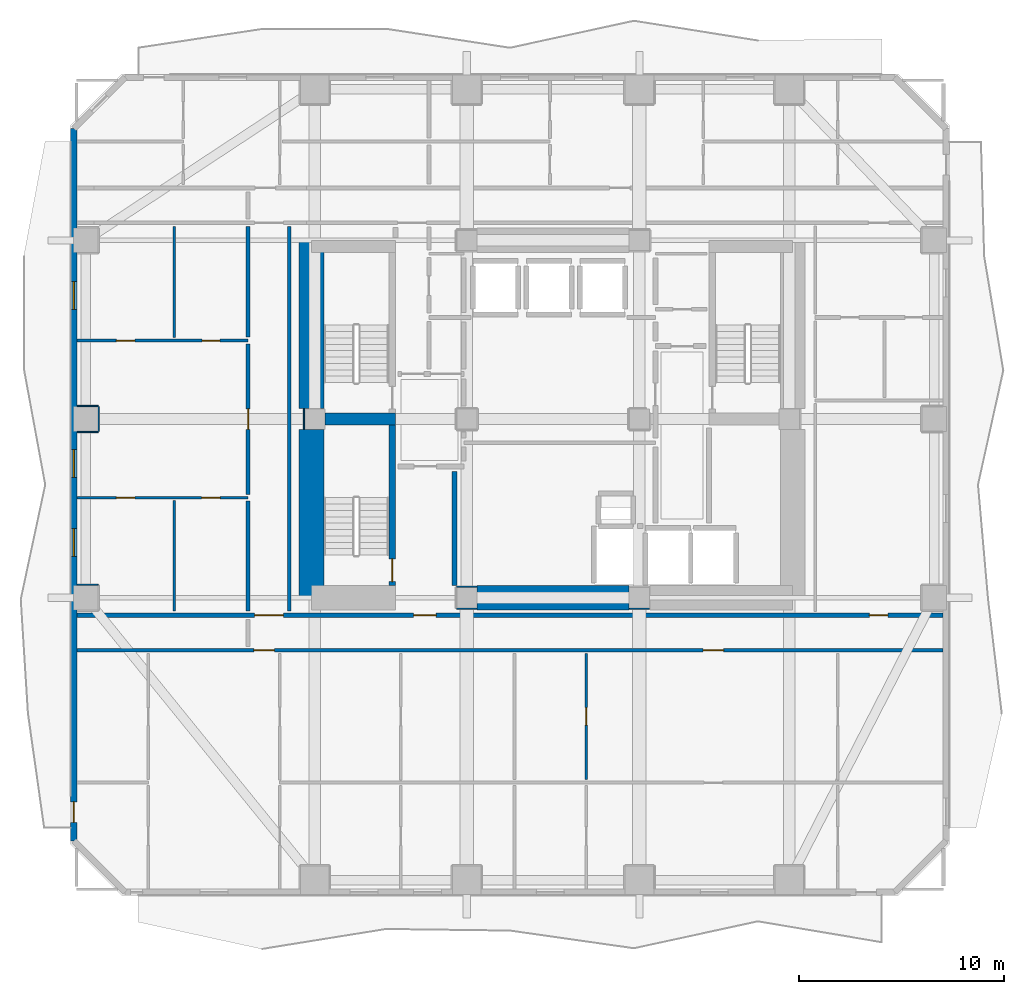
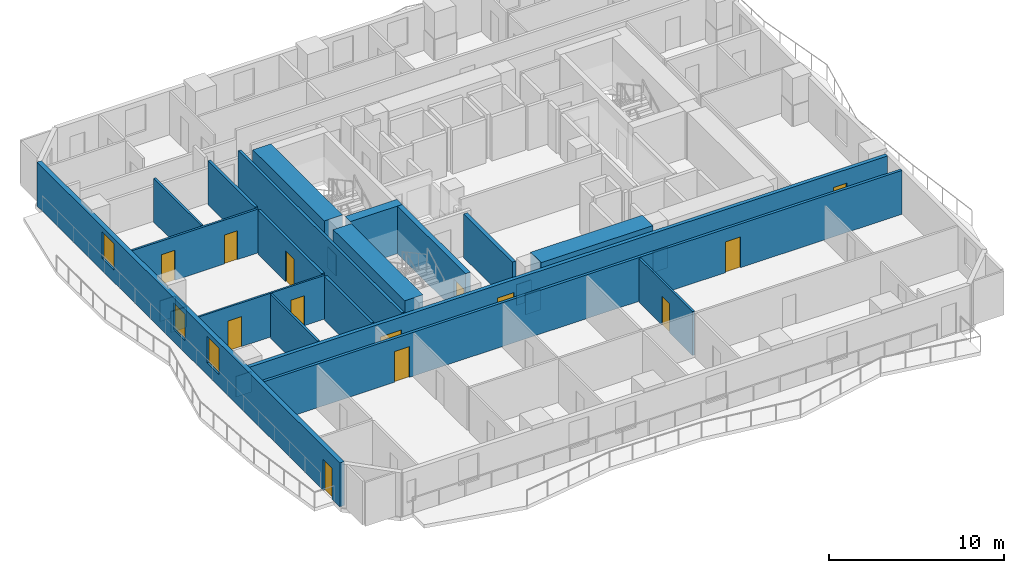
# One storey, part 3 of 11: 26 walls, 13 doors, 3 windows, 16 openings.
"""IFC4 building model written with IfcOpenShell, lengths in metres."""

from ifc_helpers import new_model, si_unit, direction, frame, frame_2d, origin, place, context, subcontext, project, spatial, rectangle, extrude, material, layer, layer_set, type_object, element, fill, save


model = new_model("IFC4")

# Units and contexts
model_context = context("Model", 3, precision=1e-05, world=origin(), true_north=direction((0.0, 1.0)))
body_context = subcontext(model_context, "Body", "Model", "MODEL_VIEW")
ifc_project = project(units=[si_unit("LENGTHUNIT", "METRE"), si_unit("AREAUNIT", "SQUARE_METRE"), si_unit("VOLUMEUNIT", "CUBIC_METRE"), si_unit("PLANEANGLEUNIT", "RADIAN"), si_unit("MASSUNIT", "GRAM", prefix="KILO")], contexts=[model_context])

# Site, building, storey
site_placement = place(None, origin())
site = spatial("IfcSite", under=ifc_project, at=site_placement, CompositionType="ELEMENT")
building_placement = place(site_placement, origin())
building = spatial("IfcBuilding", under=site, at=building_placement, Name="Solanera Arch Residences", CompositionType="ELEMENT")
storey_placement = place(building_placement, frame((0.0, 0.0, 31.9599609375)))
storey = spatial("IfcBuildingStorey", under=building, at=storey_placement, Name="L08", CompositionType="ELEMENT", Elevation=31.9599609375)

# Walls
ifc_material_1 = material(Name="Fire-Rated Gypsum Stud Partition", Category="gypsum")
ifc_layer_1 = layer(ifc_material_1, 0.06005859375)
ifc_layer_set_1 = layer_set([ifc_layer_1], Name="Fire-Rated Gypsum Stud Partition")
wall_type_1 = type_object("IfcWallType", Name="Column Acoustic Furring Wall 60", PredefinedType="PARTITIONING", material=ifc_layer_set_1)
for number, where, z_axis, x_axis, name in (
    (1, (20.300048828125, 21.468017578125, 0.0), (0.0, 0.0, 1.0), (1.0, 0.0, 0.0), "L08 Column Furring 1S"),
    (2, (20.300048828125, 22.531982421875, 0.0), (0.0, 0.0, 1.0), (1.0, 0.0, 0.0), "L08 Column Furring 1N"),
):
    element("IfcWall", number, at=place(storey_placement, frame(where, z_axis=z_axis, x_axis=x_axis)), inside=storey, type_object=wall_type_1, Name=name, PredefinedType="PARTITIONING", context=body_context, shape_type="SweptSolid", body=[
        extrude(rectangle(XDim=0.989990234375, YDim=0.06005859375, at=frame_2d((0.4951171875, 0.0))), origin(), (0.0, 0.0, 1.0), 1.449951171875),
    ])
for number, where, z_axis, x_axis, name in (
    (3, (28.7099609375, 21.468017578125, 0.0), (0.0, 0.0, 1.0), (1.0, 0.0, 0.0), "L08 Column Furring 2S"),
    (4, (12.867919921875, 30.2099609375, 0.0), (0.0, 0.0, 1.0), (0.0, 1.0, 0.0), "L08 Column Furring 5W"),
):
    element("IfcWall", number, at=place(storey_placement, frame(where, z_axis=z_axis, x_axis=x_axis)), inside=storey, type_object=wall_type_1, Name=name, PredefinedType="PARTITIONING", context=body_context, shape_type="SweptSolid", body=[
        extrude(rectangle(XDim=0.97998046875, YDim=0.06005859375, at=frame_2d((0.489990234375, 0.0))), origin(), (0.0, 0.0, 1.0), 1.449951171875),
    ])
for number, where, z_axis, x_axis, name in (
    (5, (1.830078125, 22.632080078125, 0.0), (0.0, 0.0, 1.0), (1.0, 0.0, 0.0), "L08 Column Furring 17N"),
    (6, (1.830078125, 30.068115234375, 0.0), (0.0, 0.0, 1.0), (1.0, 0.0, 0.0), "L08 Column Furring 19S"),
    (7, (1.830078125, 31.33203125, 0.0), (0.0, 0.0, 1.0), (1.0, 0.0, 0.0), "L08 Column Furring 19N"),
):
    element("IfcWall", number, at=place(storey_placement, frame(where, z_axis=z_axis, x_axis=x_axis)), inside=storey, type_object=wall_type_1, Name=name, PredefinedType="PARTITIONING", context=body_context, shape_type="SweptSolid", body=[
        extrude(rectangle(XDim=1.02001953125, YDim=0.06005859375, at=frame_2d((0.510009765625, 0.0))), origin(), (0.0, 0.0, 1.0), 1.449951171875),
    ])
wall_1_placement = place(storey_placement, frame((2.882080078125, 30.10009765625, 0.0), z_axis=(0.0, 0.0, 1.0), x_axis=(0.0, 1.0, 0.0)))
element("IfcWall", 8, at=wall_1_placement, inside=storey, type_object=wall_type_1, Name="L08 Column Furring 19E", PredefinedType="PARTITIONING", context=body_context, shape_type="SweptSolid", body=[
    extrude(rectangle(XDim=1.199951171875, YDim=0.06005859375, at=frame_2d((0.60009765625, 0.0))), origin(), (0.0, 0.0, 1.0), 1.449951171875),
])
ifc_material_2 = material(Name="Concrete C55/67 (f'c = 60 MPa)", Category="concrete")
ifc_layer_2 = layer(ifc_material_2, 1.199951171875)
ifc_layer_set_2 = layer_set([ifc_layer_2], Name="Concrete C55/67 (f'c = 60 MPa)")
wall_type_2 = type_object("IfcWallType", Name="Core Shear Wall CW-1200", PredefinedType="SHEAR", material=ifc_layer_set_2)
wall_2_placement = place(storey_placement, frame((13.239990234375, 22.0, 0.0), z_axis=(0.0, 0.0, 1.0), x_axis=(0.0, 1.0, 0.0)))
element("IfcWall", 9, at=wall_2_placement, inside=storey, type_object=wall_type_2, Name="L08 West Core South Shear Wall", PredefinedType="SHEAR", context=body_context, shape_type="SweptSolid", body=[
    extrude(rectangle(XDim=8.195068359375, YDim=1.199951171875, at=frame_2d((4.09765625, 0.0))), origin(), (0.0, 0.0, 1.0), 3.320068359375),
])
wall_3_placement = place(storey_placement, frame((13.239990234375, 31.205078125, 0.0), z_axis=(0.0, 0.0, 1.0), x_axis=(0.0, 1.0, 0.0)))
element("IfcWall", 10, at=wall_3_placement, inside=storey, type_object=wall_type_2, Name="L08 West Core North Shear Wall", PredefinedType="SHEAR", context=body_context, shape_type="SweptSolid", body=[
    extrude(rectangle(XDim=8.19482421875, YDim=1.199951171875, at=frame_2d((4.097412109375, 0.0))), origin(), (0.0, 0.0, 1.0), 3.320068359375),
])
wall_4_placement = place(storey_placement, frame((21.304931640625, 22.0, 0.0), z_axis=(0.0, 0.0, 1.0), x_axis=(1.0, 0.0, 0.0)))
element("IfcWall", 11, at=wall_4_placement, inside=storey, type_object=wall_type_2, Name="L08 Central South Core Shear Wall", PredefinedType="SHEAR", context=body_context, shape_type="SweptSolid", body=[
    extrude(rectangle(XDim=7.39013671875, YDim=1.199951171875, at=frame_2d((3.695068359375, 0.0))), origin(), (0.0, 0.0, 1.0), 3.320068359375),
])

# Wall, opening, door
ifc_material_3 = material(Name="Concrete C40/50 (f'c = 45 MPa)", Category="concrete")
ifc_layer_3 = layer(ifc_material_3, 0.320068359375)
ifc_layer_set_3 = layer_set([ifc_layer_3], Name="Concrete C40/50 (f'c = 45 MPa)")
wall_type_3 = type_object("IfcWallType", Name="Core Shear Wall CW-320", PredefinedType="SHEAR", material=ifc_layer_set_3)
wall_5_placement = place(storey_placement, frame((17.159912109375, 22.60009765625, 0.0), z_axis=(0.0, 0.0, 1.0), x_axis=(0.0, 1.0, 0.0)))
wall_5 = element("IfcWall", 12, at=wall_5_placement, inside=storey, type_object=wall_type_3, Name="L08 Stair ST-T3 East Shear Wall", PredefinedType="SHEAR", context=body_context, shape_type="SweptSolid", body=[
    extrude(rectangle(XDim=7.7998046875, YDim=0.320068359375, at=frame_2d((3.89990234375, 0.0))), origin(), (0.0, 0.0, 1.0), 3.320068359375),
])
opening_1_placement = place(wall_5_placement, frame((0.18994140625, 0.0, 0.0)))
opening_1 = element("IfcOpeningElement", 13, at=opening_1_placement, cuts=wall_5, Name="Opening DF-01", PredefinedType="OPENING", context=body_context, shape_type="SweptSolid", body=[
    extrude(rectangle(XDim=1.10009765625, YDim=2.14990234375, at=frame_2d((0.550048828125, 1.074951171875))), frame((0.0, 0.169921875, 0.0), z_axis=(0.0, -1.0, 0.0), x_axis=(1.0, 0.0, 0.0)), (0.0, 0.0, 1.0), 0.3401),
])
ifc_material_4 = material(Name="Fire-Rated Architectural Hardwood", Category="wood")
door_type_1 = type_object("IfcDoorType", Name="Stair Exit Fire Door DF-01", OperationType="NOTDEFINED", PredefinedType="DOOR", material=ifc_material_4)
door_1_placement = place(opening_1_placement, origin())
door_1 = element("IfcDoor", 14, at=door_1_placement, inside=storey, type_object=door_type_1, Name="DR-L08-STAIR-ST-T3", OperationType="SINGLE_SWING_RIGHT", OverallHeight=2.14990234375, OverallWidth=1.10009765625, PredefinedType="DOOR", context=body_context, shape_type="SweptSolid", body=[
    extrude(rectangle(XDim=1.10009765625, YDim=2.14990234375, at=frame_2d((0.550048828125, 1.074951171875))), frame((0.0, 0.02490234375, 0.0), z_axis=(0.0, -1.0, 0.0), x_axis=(1.0, 0.0, 0.0)), (0.0, 0.0, 1.0), 0.050048828125),
])
fill(opening_1, door_1)

# Wall
ifc_material_5 = material(Name="Concrete C40/50 (f'c = 45 MPa)", Category="concrete")
ifc_layer_4 = layer(ifc_material_5, 0.60009765625)
ifc_layer_set_4 = layer_set([ifc_layer_4], Name="Concrete C40/50 (f'c = 45 MPa)")
wall_type_4 = type_object("IfcWallType", Name="Core Shear Wall CW-600", PredefinedType="SHEAR", material=ifc_layer_set_4)
wall_6_placement = place(storey_placement, frame((13.905029296875, 30.699951171875, 0.0), z_axis=(0.0, 0.0, 1.0), x_axis=(1.0, 0.0, 0.0)))
element("IfcWall", 15, at=wall_6_placement, inside=storey, type_object=wall_type_4, Name="L08 West Stair Divider Shear Wall", PredefinedType="SHEAR", context=body_context, shape_type="SweptSolid", body=[
    extrude(rectangle(XDim=3.4150390625, YDim=0.60009765625, at=frame_2d((1.70751953125, 0.0))), origin(), (0.0, 0.0, 1.0), 3.320068359375),
])

# Wall, openings, doors
ifc_material_6 = material(Name="Autoclaved Aerated Concrete Blockwork", Category="masonry")
ifc_layer_5 = layer(ifc_material_6, 0.179931640625)
ifc_layer_set_5 = layer_set([ifc_layer_5], Name="Autoclaved Aerated Concrete Blockwork")
wall_type_5 = type_object("IfcWallType", Name="Corridor Fire Partition 180", PredefinedType="PARTITIONING", material=ifc_layer_set_5)
wall_7_placement = place(storey_placement, frame((1.826904296875, 19.449951171875, 0.0), z_axis=(0.0, 0.0, 1.0), x_axis=(1.0, 0.0, 0.0)))
wall_7 = element("IfcWall", 16, at=wall_7_placement, inside=storey, type_object=wall_type_5, Name="L08 Interior Partition H8", PredefinedType="PARTITIONING", context=body_context, shape_type="SweptSolid", body=[
    extrude(rectangle(XDim=42.14599609375, YDim=0.179931640625, at=frame_2d((21.072998046875, 0.0))), origin(), (0.0, 0.0, 1.0), 3.06005859375),
])
opening_2_placement = place(wall_7_placement, frame((8.60205078125, 0.0, 0.0)))
opening_2 = element("IfcOpeningElement", 17, at=opening_2_placement, cuts=wall_7, Name="Opening DI-01", PredefinedType="OPENING", context=body_context, shape_type="SweptSolid", body=[
    extrude(rectangle(XDim=1.0, YDim=2.14990234375, at=frame_2d((0.5, 1.074951171875))), frame((0.0, 0.10009765625, 0.0), z_axis=(0.0, -1.0, 0.0), x_axis=(1.0, 0.0, 0.0)), (0.0, 0.0, 1.0), 0.1999),
])
opening_3_placement = place(wall_7_placement, frame((30.47509765625, 0.0, 0.0)))
opening_3 = element("IfcOpeningElement", 18, at=opening_3_placement, cuts=wall_7, Name="Opening DI-01", PredefinedType="OPENING", context=body_context, shape_type="SweptSolid", body=[
    extrude(rectangle(XDim=1.0, YDim=2.14990234375, at=frame_2d((0.5, 1.074951171875))), frame((0.0, 0.10009765625, 0.0), z_axis=(0.0, -1.0, 0.0), x_axis=(1.0, 0.0, 0.0)), (0.0, 0.0, 1.0), 0.1999),
])
ifc_material_7 = material(Name="Fire-Rated Architectural Hardwood", Category="wood")
door_type_2 = type_object("IfcDoorType", Name="Unit Entrance Fire Door DI-01", OperationType="NOTDEFINED", PredefinedType="DOOR", material=ifc_material_7)
door_2_placement = place(opening_2_placement, origin())
door_2 = element("IfcDoor", 19, at=door_2_placement, inside=storey, type_object=door_type_2, Name="DR-L08-IN-015", OperationType="SINGLE_SWING_RIGHT", OverallHeight=2.14990234375, OverallWidth=1.0, PredefinedType="DOOR", context=body_context, shape_type="SweptSolid", body=[
    extrude(rectangle(XDim=1.0, YDim=2.14990234375, at=frame_2d((0.5, 1.074951171875))), frame((0.0, 0.02490234375, 0.0), z_axis=(0.0, -1.0, 0.0), x_axis=(1.0, 0.0, 0.0)), (0.0, 0.0, 1.0), 0.050048828125),
])
fill(opening_2, door_2)
door_3_placement = place(opening_3_placement, origin())
door_3 = element("IfcDoor", 20, at=door_3_placement, inside=storey, type_object=door_type_2, Name="DR-L08-IN-022", OperationType="SINGLE_SWING_LEFT", OverallHeight=2.14990234375, OverallWidth=1.0, PredefinedType="DOOR", context=body_context, shape_type="SweptSolid", body=[
    extrude(rectangle(XDim=1.0, YDim=2.14990234375, at=frame_2d((0.5, 1.074951171875))), frame((0.0, 0.02490234375, 0.0), z_axis=(0.0, -1.0, 0.0), x_axis=(1.0, 0.0, 0.0)), (0.0, 0.0, 1.0), 0.050048828125),
])
fill(opening_3, door_3)

# Wall
wall_8_placement = place(storey_placement, frame((10.14990234375, 21.367919921875, 0.0), z_axis=(0.0, 0.0, 1.0), x_axis=(0.0, 1.0, 0.0)))
element("IfcWall", 21, at=wall_8_placement, inside=storey, type_object=wall_type_5, Name="L08 Interior Partition V8 2", PredefinedType="PARTITIONING", context=body_context, shape_type="SweptSolid", body=[
    extrude(rectangle(XDim=5.35400390625, YDim=0.179931640625, at=frame_2d((2.677001953125, 0.0))), origin(), (0.0, 0.0, 1.0), 3.06005859375),
])

# Wall, opening, door
wall_9_placement = place(storey_placement, frame((10.14990234375, 27.0380859375, 0.0), z_axis=(0.0, 0.0, 1.0), x_axis=(0.0, 1.0, 0.0)))
wall_9 = element("IfcWall", 22, at=wall_9_placement, inside=storey, type_object=wall_type_5, Name="L08 Interior Partition V8 3", PredefinedType="PARTITIONING", context=body_context, shape_type="SweptSolid", body=[
    extrude(rectangle(XDim=7.31396484375, YDim=0.179931640625, at=frame_2d((3.656982421875, 0.0))), origin(), (0.0, 0.0, 1.0), 3.06005859375),
])
opening_4_placement = place(wall_9_placement, frame((3.162109375, 0.0, 0.0)))
opening_4 = element("IfcOpeningElement", 23, at=opening_4_placement, cuts=wall_9, Name="Opening DI-01", PredefinedType="OPENING", context=body_context, shape_type="SweptSolid", body=[
    extrude(rectangle(XDim=1.0, YDim=2.14990234375, at=frame_2d((0.5, 1.074951171875))), frame((0.0, 0.10009765625, 0.0), z_axis=(0.0, -1.0, 0.0), x_axis=(1.0, 0.0, 0.0)), (0.0, 0.0, 1.0), 0.1999),
])
door_4_placement = place(opening_4_placement, origin())
door_4 = element("IfcDoor", 24, at=door_4_placement, inside=storey, type_object=door_type_2, Name="DR-L08-IN-040", OperationType="SINGLE_SWING_LEFT", OverallHeight=2.14990234375, OverallWidth=1.0, PredefinedType="DOOR", context=body_context, shape_type="SweptSolid", body=[
    extrude(rectangle(XDim=1.0, YDim=2.14990234375, at=frame_2d((0.5, 1.074951171875))), frame((0.0, 0.02490234375, 0.0), z_axis=(0.0, -1.0, 0.0), x_axis=(1.0, 0.0, 0.0)), (0.0, 0.0, 1.0), 0.050048828125),
])
fill(opening_4, door_4)

# Walls
wall_10_placement = place(storey_placement, frame((10.14990234375, 34.68798828125, 0.0), z_axis=(0.0, 0.0, 1.0), x_axis=(0.0, 1.0, 0.0)))
element("IfcWall", 25, at=wall_10_placement, inside=storey, type_object=wall_type_5, Name="L08 Interior Partition V8 4", PredefinedType="PARTITIONING", context=body_context, shape_type="SweptSolid", body=[
    extrude(rectangle(XDim=5.3740234375, YDim=0.179931640625, at=frame_2d((2.68701171875, 0.0))), origin(), (0.0, 0.0, 1.0), 3.06005859375),
])
wall_11_placement = place(storey_placement, frame((12.14990234375, 21.367919921875, 0.0), z_axis=(0.0, 0.0, 1.0), x_axis=(0.0, 1.0, 0.0)))
element("IfcWall", 26, at=wall_11_placement, inside=storey, type_object=wall_type_5, Name="L08 Interior Partition V9", PredefinedType="PARTITIONING", context=body_context, shape_type="SweptSolid", body=[
    extrude(rectangle(XDim=18.694091796875, YDim=0.179931640625, at=frame_2d((9.34716796875, 0.0))), origin(), (0.0, 0.0, 1.0), 3.06005859375),
])

# Wall, openings, door, windows
ifc_material_8 = material(Name="Precast Concrete C35/45", Category="concrete")
ifc_layer_6 = layer(ifc_material_8, 0.300048828125)
ifc_layer_set_6 = layer_set([ifc_layer_6], Name="Precast Concrete C35/45")
wall_type_6 = type_object("IfcWallType", Name="Exterior Wall Precast Masonry-Frame 300", PredefinedType="STANDARD", material=ifc_layer_set_6)
wall_12_placement = place(storey_placement, frame((1.6650390625, 10.1650390625, 0.0), z_axis=(0.0, 0.0, 1.0), x_axis=(0.0, 1.0, 0.0)))
wall_12 = element("IfcWall", 27, at=wall_12_placement, inside=storey, type_object=wall_type_6, Name="L08 Tower Exterior Precast Masonry-Frame Wall W", PredefinedType="STANDARD", context=body_context, shape_type="SweptSolid", body=[
    extrude(rectangle(XDim=34.669921875, YDim=0.300048828125, at=frame_2d((17.3349609375, 0.0))), origin(), (0.0, 0.0, 1.0), 3.06005859375),
])
opening_5_placement = place(wall_12_placement, frame((0.90087890625, 0.0, 0.0)))
opening_5 = element("IfcOpeningElement", 28, at=opening_5_placement, cuts=wall_12, Name="Opening DB-01", PredefinedType="OPENING", context=body_context, shape_type="SweptSolid", body=[
    extrude(rectangle(XDim=1.0, YDim=2.14990234375, at=frame_2d((0.5, 1.074951171875))), frame((0.0, 0.159912109375, 0.0), z_axis=(0.0, -1.0, 0.0), x_axis=(1.0, 0.0, 0.0)), (0.0, 0.0, 1.0), 0.32),
])
opening_6_placement = place(wall_12_placement, frame((17.699951171875, 0.0, 0.85009765625)))
opening_6 = element("IfcOpeningElement", 29, at=opening_6_placement, cuts=wall_12, Name="Opening W-10", PredefinedType="OPENING", context=body_context, shape_type="SweptSolid", body=[
    extrude(rectangle(XDim=1.35009765625, YDim=1.85009765625, at=frame_2d((0.675048828125, 0.925048828125))), frame((0.0, 0.159912109375, 0.0), z_axis=(0.0, -1.0, 0.0), x_axis=(1.0, 0.0, 0.0)), (0.0, 0.0, 1.0), 0.32),
])
opening_7_placement = place(wall_12_placement, frame((13.85009765625, 0.0, 0.85009765625)))
opening_7 = element("IfcOpeningElement", 30, at=opening_7_placement, cuts=wall_12, Name="Opening W-10", PredefinedType="OPENING", context=body_context, shape_type="SweptSolid", body=[
    extrude(rectangle(XDim=1.35009765625, YDim=1.85009765625, at=frame_2d((0.675048828125, 0.925048828125))), frame((0.0, 0.159912109375, 0.0), z_axis=(0.0, -1.0, 0.0), x_axis=(1.0, 0.0, 0.0)), (0.0, 0.0, 1.0), 0.32),
])
opening_8_placement = place(wall_12_placement, frame((25.8701171875, 0.0, 0.85009765625)))
opening_8 = element("IfcOpeningElement", 31, at=opening_8_placement, cuts=wall_12, Name="Opening W-10", PredefinedType="OPENING", context=body_context, shape_type="SweptSolid", body=[
    extrude(rectangle(XDim=1.35009765625, YDim=1.85009765625, at=frame_2d((0.675048828125, 0.925048828125))), frame((0.0, 0.159912109375, 0.0), z_axis=(0.0, -1.0, 0.0), x_axis=(1.0, 0.0, 0.0)), (0.0, 0.0, 1.0), 0.32),
])
ifc_material_9 = material(Name="Anodised Aluminium Alloy 6063-T6", Category="aluminium")
door_type_3 = type_object("IfcDoorType", Name="Glazed Balcony Swing Door DB-01", OperationType="NOTDEFINED", PredefinedType="DOOR", material=ifc_material_9)
door_5_placement = place(opening_5_placement, origin())
door_5 = element("IfcDoor", 32, at=door_5_placement, inside=storey, type_object=door_type_3, Name="DR-L08-OUT-04", OperationType="SINGLE_SWING_LEFT", OverallHeight=2.14990234375, OverallWidth=1.0, PredefinedType="DOOR", context=body_context, shape_type="SweptSolid", body=[
    extrude(rectangle(XDim=1.0, YDim=2.14990234375, at=frame_2d((0.5, 1.074951171875))), frame((0.0, 0.02490234375, 0.0), z_axis=(0.0, -1.0, 0.0), x_axis=(1.0, 0.0, 0.0)), (0.0, 0.0, 1.0), 0.050048828125),
])
fill(opening_5, door_5)
ifc_material_10 = material(Name="Double Glazed Low-E Laminated Glass", Category="glass")
window_type = type_object("IfcWindowType", Name="Punched Window W-10", PartitioningType="DOUBLE_PANEL_VERTICAL", PredefinedType="WINDOW", material=ifc_material_10)
window_1_placement = place(opening_6_placement, origin())
window_1 = element("IfcWindow", 33, at=window_1_placement, inside=storey, type_object=window_type, Name="L08 0805-LIV Punched Window", OverallHeight=1.85009765625, OverallWidth=1.35009765625, PartitioningType="SINGLE_PANEL", PredefinedType="WINDOW", context=body_context, shape_type="SweptSolid", body=[
    extrude(rectangle(XDim=1.35009765625, YDim=1.85009765625, at=frame_2d((0.675048828125, 0.925048828125))), frame((0.0, 0.030029296875, 0.0), z_axis=(0.0, -1.0, 0.0), x_axis=(1.0, 0.0, 0.0)), (0.0, 0.0, 1.0), 0.06005859375),
])
fill(opening_6, window_1)
window_2_placement = place(opening_7_placement, origin())
window_2 = element("IfcWindow", 34, at=window_2_placement, inside=storey, type_object=window_type, Name="L08 0805-BR2 Punched Window", OverallHeight=1.85009765625, OverallWidth=1.35009765625, PartitioningType="SINGLE_PANEL", PredefinedType="WINDOW", context=body_context, shape_type="SweptSolid", body=[
    extrude(rectangle(XDim=1.35009765625, YDim=1.85009765625, at=frame_2d((0.675048828125, 0.925048828125))), frame((0.0, 0.030029296875, 0.0), z_axis=(0.0, -1.0, 0.0), x_axis=(1.0, 0.0, 0.0)), (0.0, 0.0, 1.0), 0.06005859375),
])
fill(opening_7, window_2)
window_3_placement = place(opening_8_placement, origin())
window_3 = element("IfcWindow", 35, at=window_3_placement, inside=storey, type_object=window_type, Name="L08 0805-BR1 Punched Window", OverallHeight=1.85009765625, OverallWidth=1.35009765625, PartitioningType="SINGLE_PANEL", PredefinedType="WINDOW", context=body_context, shape_type="SweptSolid", body=[
    extrude(rectangle(XDim=1.35009765625, YDim=1.85009765625, at=frame_2d((0.675048828125, 0.925048828125))), frame((0.0, 0.030029296875, 0.0), z_axis=(0.0, -1.0, 0.0), x_axis=(1.0, 0.0, 0.0)), (0.0, 0.0, 1.0), 0.06005859375),
])
fill(opening_8, window_3)

# Wall, openings, doors
ifc_material_11 = material(Name="Autoclaved Aerated Concrete Blockwork", Category="masonry")
ifc_layer_7 = layer(ifc_material_11, 0.239990234375)
ifc_layer_set_7 = layer_set([ifc_layer_7], Name="Autoclaved Aerated Concrete Blockwork")
wall_type_7 = type_object("IfcWallType", Name="Shaft Wall Fire-Rated 240", PredefinedType="PARTITIONING", material=ifc_layer_set_7)
wall_13_placement = place(storey_placement, frame((1.826904296875, 21.14990234375, 0.0), z_axis=(0.0, 0.0, 1.0), x_axis=(1.0, 0.0, 0.0)))
wall_13 = element("IfcWall", 36, at=wall_13_placement, inside=storey, type_object=wall_type_7, Name="L08 Interior Partition H1", PredefinedType="PARTITIONING", context=body_context, shape_type="SweptSolid", body=[
    extrude(rectangle(XDim=42.14599609375, YDim=0.239990234375, at=frame_2d((21.072998046875, 0.0))), origin(), (0.0, 0.0, 1.0), 3.06005859375),
])
opening_9_placement = place(wall_13_placement, frame((16.383056640625, 0.0, 0.0)))
opening_9 = element("IfcOpeningElement", 37, at=opening_9_placement, cuts=wall_13, Name="Opening DF-02", PredefinedType="OPENING", context=body_context, shape_type="SweptSolid", body=[
    extrude(rectangle(XDim=1.10009765625, YDim=2.14990234375, at=frame_2d((0.550048828125, 1.074951171875))), frame((0.0, 0.1298828125, 0.0), z_axis=(0.0, -1.0, 0.0), x_axis=(1.0, 0.0, 0.0)), (0.0, 0.0, 1.0), 0.26),
])
opening_10_placement = place(wall_13_placement, frame((8.64697265625, 0.0, 0.0)))
opening_10 = element("IfcOpeningElement", 38, at=opening_10_placement, cuts=wall_13, Name="Opening DF-03", PredefinedType="OPENING", context=body_context, shape_type="SweptSolid", body=[
    extrude(rectangle(XDim=1.39990234375, YDim=2.14990234375, at=frame_2d((0.699951171875, 1.074951171875))), frame((0.0, 0.1298828125, 0.0), z_axis=(0.0, -1.0, 0.0), x_axis=(1.0, 0.0, 0.0)), (0.0, 0.0, 1.0), 0.26),
])
opening_11_placement = place(wall_13_placement, frame((38.573974609375, 0.0, 0.0)))
opening_11 = element("IfcOpeningElement", 39, at=opening_11_placement, cuts=wall_13, Name="Opening DI-02", PredefinedType="OPENING", context=body_context, shape_type="SweptSolid", body=[
    extrude(rectangle(XDim=0.89990234375, YDim=2.10009765625, at=frame_2d((0.449951171875, 1.050048828125))), frame((0.0, 0.1298828125, 0.0), z_axis=(0.0, -1.0, 0.0), x_axis=(1.0, 0.0, 0.0)), (0.0, 0.0, 1.0), 0.26),
])
ifc_material_12 = material(Name="Fire-Rated Architectural Hardwood", Category="wood")
door_type_4 = type_object("IfcDoorType", Name="Corridor Smoke Door DF-03", OperationType="NOTDEFINED", PredefinedType="DOOR", material=ifc_material_12)
door_6_placement = place(opening_10_placement, origin())
door_6 = element("IfcDoor", 40, at=door_6_placement, inside=storey, type_object=door_type_4, Name="DR-L08-IN-010", OperationType="SINGLE_SWING_LEFT", OverallHeight=2.14990234375, OverallWidth=1.39990234375, PredefinedType="DOOR", context=body_context, shape_type="SweptSolid", body=[
    extrude(rectangle(XDim=1.39990234375, YDim=2.14990234375, at=frame_2d((0.699951171875, 1.074951171875))), frame((0.0, 0.02490234375, 0.0), z_axis=(0.0, -1.0, 0.0), x_axis=(1.0, 0.0, 0.0)), (0.0, 0.0, 1.0), 0.050048828125),
])
fill(opening_10, door_6)
ifc_material_13 = material(Name="Fire-Rated Architectural Hardwood", Category="wood")
door_type_5 = type_object("IfcDoorType", Name="Firefighting Lobby Fire Door DF-02", OperationType="NOTDEFINED", PredefinedType="DOOR", material=ifc_material_13)
door_7_placement = place(opening_9_placement, origin())
door_7 = element("IfcDoor", 41, at=door_7_placement, inside=storey, type_object=door_type_5, Name="DR-L08-IN-008", OperationType="SINGLE_SWING_LEFT", OverallHeight=2.14990234375, OverallWidth=1.10009765625, PredefinedType="DOOR", context=body_context, shape_type="SweptSolid", body=[
    extrude(rectangle(XDim=1.10009765625, YDim=2.14990234375, at=frame_2d((0.550048828125, 1.074951171875))), frame((0.0, 0.02490234375, 0.0), z_axis=(0.0, -1.0, 0.0), x_axis=(1.0, 0.0, 0.0)), (0.0, 0.0, 1.0), 0.050048828125),
])
fill(opening_9, door_7)
ifc_material_14 = material(Name="Fire-Rated Architectural Hardwood", Category="wood")
door_type_6 = type_object("IfcDoorType", Name="Suite Room Swing Door DI-02", OperationType="NOTDEFINED", PredefinedType="DOOR", material=ifc_material_14)
door_8_placement = place(opening_11_placement, origin())
door_8 = element("IfcDoor", 42, at=door_8_placement, inside=storey, type_object=door_type_6, Name="DR-L08-IN-045", OperationType="SINGLE_SWING_RIGHT", OverallHeight=2.10009765625, OverallWidth=0.89990234375, PredefinedType="DOOR", context=body_context, shape_type="SweptSolid", body=[
    extrude(rectangle(XDim=0.89990234375, YDim=2.10009765625, at=frame_2d((0.449951171875, 1.050048828125))), frame((0.0, 0.02490234375, 0.0), z_axis=(0.0, -1.0, 0.0), x_axis=(1.0, 0.0, 0.0)), (0.0, 0.0, 1.0), 0.050048828125),
])
fill(opening_11, door_8)

# Wall
wall_14_placement = place(storey_placement, frame((20.199951171875, 22.5859375, 0.0), z_axis=(0.0, 0.0, 1.0), x_axis=(0.0, 1.0, 0.0)))
element("IfcWall", 43, at=wall_14_placement, inside=storey, type_object=wall_type_7, Name="L08 Interior Partition V2", PredefinedType="PARTITIONING", context=body_context, shape_type="SweptSolid", body=[
    extrude(rectangle(XDim=5.566162109375, YDim=0.239990234375, at=frame_2d((2.783203125, 0.0))), origin(), (0.0, 0.0, 1.0), 3.06005859375),
])

# Wall, openings, doors
ifc_material_15 = material(Name="Fire-Rated Gypsum Stud Partition", Category="gypsum")
ifc_layer_8 = layer(ifc_material_15, 0.1201171875)
ifc_layer_set_8 = layer_set([ifc_layer_8], Name="Fire-Rated Gypsum Stud Partition")
wall_type_8 = type_object("IfcWallType", Name="Unit Drywall Partition 120", PredefinedType="PARTITIONING", material=ifc_layer_set_8)
wall_15_placement = place(storey_placement, frame((1.826904296875, 26.8798828125, 0.0), z_axis=(0.0, 0.0, 1.0), x_axis=(1.0, 0.0, 0.0)))
wall_15 = element("IfcWall", 44, at=wall_15_placement, inside=storey, type_object=wall_type_8, Name="L08 Interior Partition H23", PredefinedType="PARTITIONING", context=body_context, shape_type="SweptSolid", body=[
    extrude(rectangle(XDim=8.322998046875, YDim=0.1201171875, at=frame_2d((4.16162109375, 0.0))), origin(), (0.0, 0.0, 1.0), 3.06005859375),
])
opening_12_placement = place(wall_15_placement, frame((6.06494140625, 0.0, 0.0)))
opening_12 = element("IfcOpeningElement", 45, at=opening_12_placement, cuts=wall_15, Name="Opening DI-02", PredefinedType="OPENING", context=body_context, shape_type="SweptSolid", body=[
    extrude(rectangle(XDim=0.89990234375, YDim=2.10009765625, at=frame_2d((0.449951171875, 1.050048828125))), frame((0.0, 0.070068359375, 0.0), z_axis=(0.0, -1.0, 0.0), x_axis=(1.0, 0.0, 0.0)), (0.0, 0.0, 1.0), 0.1401),
])
opening_13_placement = place(wall_15_placement, frame((1.9150390625, 0.0, 0.0)))
opening_13 = element("IfcOpeningElement", 46, at=opening_13_placement, cuts=wall_15, Name="Opening DI-03", PredefinedType="OPENING", context=body_context, shape_type="SweptSolid", body=[
    extrude(rectangle(XDim=0.89990234375, YDim=2.10009765625, at=frame_2d((0.449951171875, 1.050048828125))), frame((0.0, 0.070068359375, 0.0), z_axis=(0.0, -1.0, 0.0), x_axis=(1.0, 0.0, 0.0)), (0.0, 0.0, 1.0), 0.1401),
])
ifc_material_16 = material(Name="Fire-Rated Architectural Hardwood", Category="wood")
door_type_7 = type_object("IfcDoorType", Name="Bedroom Swing Door DI-03", OperationType="NOTDEFINED", PredefinedType="DOOR", material=ifc_material_16)
door_9_placement = place(opening_13_placement, origin())
door_9 = element("IfcDoor", 47, at=door_9_placement, inside=storey, type_object=door_type_7, Name="DR-L08-IN-042", OperationType="SINGLE_SWING_LEFT", OverallHeight=2.10009765625, OverallWidth=0.89990234375, PredefinedType="DOOR", context=body_context, shape_type="SweptSolid", body=[
    extrude(rectangle(XDim=0.89990234375, YDim=2.10009765625, at=frame_2d((0.449951171875, 1.050048828125))), frame((0.0, 0.02490234375, 0.0), z_axis=(0.0, -1.0, 0.0), x_axis=(1.0, 0.0, 0.0)), (0.0, 0.0, 1.0), 0.050048828125),
])
fill(opening_13, door_9)
door_10_placement = place(opening_12_placement, origin())
door_10 = element("IfcDoor", 48, at=door_10_placement, inside=storey, type_object=door_type_6, Name="DR-L08-IN-041", OperationType="SINGLE_SWING_RIGHT", OverallHeight=2.10009765625, OverallWidth=0.89990234375, PredefinedType="DOOR", context=body_context, shape_type="SweptSolid", body=[
    extrude(rectangle(XDim=0.89990234375, YDim=2.10009765625, at=frame_2d((0.449951171875, 1.050048828125))), frame((0.0, 0.02490234375, 0.0), z_axis=(0.0, -1.0, 0.0), x_axis=(1.0, 0.0, 0.0)), (0.0, 0.0, 1.0), 0.050048828125),
])
fill(opening_12, door_10)

ifc_material_17 = material(Name="Autoclaved Aerated Concrete Blockwork", Category="masonry")
ifc_layer_9 = layer(ifc_material_17, 0.139892578125)
ifc_layer_set_9 = layer_set([ifc_layer_9], Name="Autoclaved Aerated Concrete Blockwork")
wall_type_9 = type_object("IfcWallType", Name="Wet-Room Partition 140", PredefinedType="PARTITIONING", material=ifc_layer_set_9)
wall_16_placement = place(storey_placement, frame((1.826904296875, 34.52001953125, 0.0), z_axis=(0.0, 0.0, 1.0), x_axis=(1.0, 0.0, 0.0)))
wall_16 = element("IfcWall", 49, at=wall_16_placement, inside=storey, type_object=wall_type_9, Name="L08 Interior Partition H16", PredefinedType="PARTITIONING", context=body_context, shape_type="SweptSolid", body=[
    extrude(rectangle(XDim=8.322998046875, YDim=0.139892578125, at=frame_2d((4.16162109375, 0.0))), origin(), (0.0, 0.0, 1.0), 3.06005859375),
])
opening_14_placement = place(wall_16_placement, frame((6.0849609375, 0.0, 0.0)))
opening_14 = element("IfcOpeningElement", 50, at=opening_14_placement, cuts=wall_16, Name="Opening DI-05", PredefinedType="OPENING", context=body_context, shape_type="SweptSolid", body=[
    extrude(rectangle(XDim=0.860107421875, YDim=2.02001953125, at=frame_2d((0.43017578125, 1.010009765625))), frame((0.0, 0.079833984375, 0.0), z_axis=(0.0, -1.0, 0.0), x_axis=(1.0, 0.0, 0.0)), (0.0, 0.0, 1.0), 0.1599),
])
opening_15_placement = place(wall_16_placement, frame((1.9150390625, 0.0, 0.0)))
opening_15 = element("IfcOpeningElement", 51, at=opening_15_placement, cuts=wall_16, Name="Opening DI-03", PredefinedType="OPENING", context=body_context, shape_type="SweptSolid", body=[
    extrude(rectangle(XDim=0.89990234375, YDim=2.10009765625, at=frame_2d((0.449951171875, 1.050048828125))), frame((0.0, 0.079833984375, 0.0), z_axis=(0.0, -1.0, 0.0), x_axis=(1.0, 0.0, 0.0)), (0.0, 0.0, 1.0), 0.1599),
])
ifc_material_18 = material(Name="Fire-Rated Architectural Hardwood", Category="wood")
door_type_8 = type_object("IfcDoorType", Name="Bathroom Swing Door DI-05", OperationType="NOTDEFINED", PredefinedType="DOOR", material=ifc_material_18)
door_11_placement = place(opening_14_placement, origin())
door_11 = element("IfcDoor", 52, at=door_11_placement, inside=storey, type_object=door_type_8, Name="DR-L08-IN-043", OperationType="SINGLE_SWING_RIGHT", OverallHeight=2.02001953125, OverallWidth=0.860107421875, PredefinedType="DOOR", context=body_context, shape_type="SweptSolid", body=[
    extrude(rectangle(XDim=0.860107421875, YDim=2.02001953125, at=frame_2d((0.43017578125, 1.010009765625))), frame((0.0, 0.02490234375, 0.0), z_axis=(0.0, -1.0, 0.0), x_axis=(1.0, 0.0, 0.0)), (0.0, 0.0, 1.0), 0.050048828125),
])
fill(opening_14, door_11)
door_12_placement = place(opening_15_placement, origin())
door_12 = element("IfcDoor", 53, at=door_12_placement, inside=storey, type_object=door_type_7, Name="DR-L08-IN-044", OperationType="SINGLE_SWING_LEFT", OverallHeight=2.10009765625, OverallWidth=0.89990234375, PredefinedType="DOOR", context=body_context, shape_type="SweptSolid", body=[
    extrude(rectangle(XDim=0.89990234375, YDim=2.10009765625, at=frame_2d((0.449951171875, 1.050048828125))), frame((0.0, 0.02490234375, 0.0), z_axis=(0.0, -1.0, 0.0), x_axis=(1.0, 0.0, 0.0)), (0.0, 0.0, 1.0), 0.050048828125),
])
fill(opening_15, door_12)

# Walls
wall_17_placement = place(storey_placement, frame((6.55908203125, 21.347900390625, 0.0), z_axis=(0.0, 0.0, 1.0), x_axis=(0.0, 1.0, 0.0)))
element("IfcWall", 54, at=wall_17_placement, inside=storey, type_object=wall_type_9, Name="L08 Interior Partition V15", PredefinedType="PARTITIONING", context=body_context, shape_type="SweptSolid", body=[
    extrude(rectangle(XDim=5.39404296875, YDim=0.139892578125, at=frame_2d((2.697021484375, 0.0))), origin(), (0.0, 0.0, 1.0), 3.06005859375),
])
wall_18_placement = place(storey_placement, frame((6.55908203125, 34.66796875, 0.0), z_axis=(0.0, 0.0, 1.0), x_axis=(0.0, 1.0, 0.0)))
element("IfcWall", 55, at=wall_18_placement, inside=storey, type_object=wall_type_9, Name="L08 Interior Partition V16", PredefinedType="PARTITIONING", context=body_context, shape_type="SweptSolid", body=[
    extrude(rectangle(XDim=5.4140625, YDim=0.139892578125, at=frame_2d((2.70703125, 0.0))), origin(), (0.0, 0.0, 1.0), 3.06005859375),
])

# Wall, opening, door
wall_19_placement = place(storey_placement, frame((26.612060546875, 13.14794921875, 0.0), z_axis=(0.0, 0.0, 1.0), x_axis=(0.0, 1.0, 0.0)))
wall_19 = element("IfcWall", 56, at=wall_19_placement, inside=storey, type_object=wall_type_9, Name="L08 Interior Partition V20 2", PredefinedType="PARTITIONING", context=body_context, shape_type="SweptSolid", body=[
    extrude(rectangle(XDim=6.134033203125, YDim=0.139892578125, at=frame_2d((3.06689453125, 0.0))), origin(), (0.0, 0.0, 1.0), 3.06005859375),
])
opening_16_placement = place(wall_19_placement, frame((2.64697265625, 0.0, 0.0)))
opening_16 = element("IfcOpeningElement", 57, at=opening_16_placement, cuts=wall_19, Name="Opening DI-05", PredefinedType="OPENING", context=body_context, shape_type="SweptSolid", body=[
    extrude(rectangle(XDim=0.860107421875, YDim=2.02001953125, at=frame_2d((0.43017578125, 1.010009765625))), frame((0.0, 0.079833984375, 0.0), z_axis=(0.0, -1.0, 0.0), x_axis=(1.0, 0.0, 0.0)), (0.0, 0.0, 1.0), 0.1599),
])
door_13_placement = place(opening_16_placement, origin())
door_13 = element("IfcDoor", 58, at=door_13_placement, inside=storey, type_object=door_type_8, Name="DR-L08-IN-024", OperationType="SINGLE_SWING_LEFT", OverallHeight=2.02001953125, OverallWidth=0.860107421875, PredefinedType="DOOR", context=body_context, shape_type="SweptSolid", body=[
    extrude(rectangle(XDim=0.860107421875, YDim=2.02001953125, at=frame_2d((0.43017578125, 1.010009765625))), frame((0.0, 0.02490234375, 0.0), z_axis=(0.0, -1.0, 0.0), x_axis=(1.0, 0.0, 0.0)), (0.0, 0.0, 1.0), 0.050048828125),
])
fill(opening_16, door_13)

save(model, "model.ifc")
